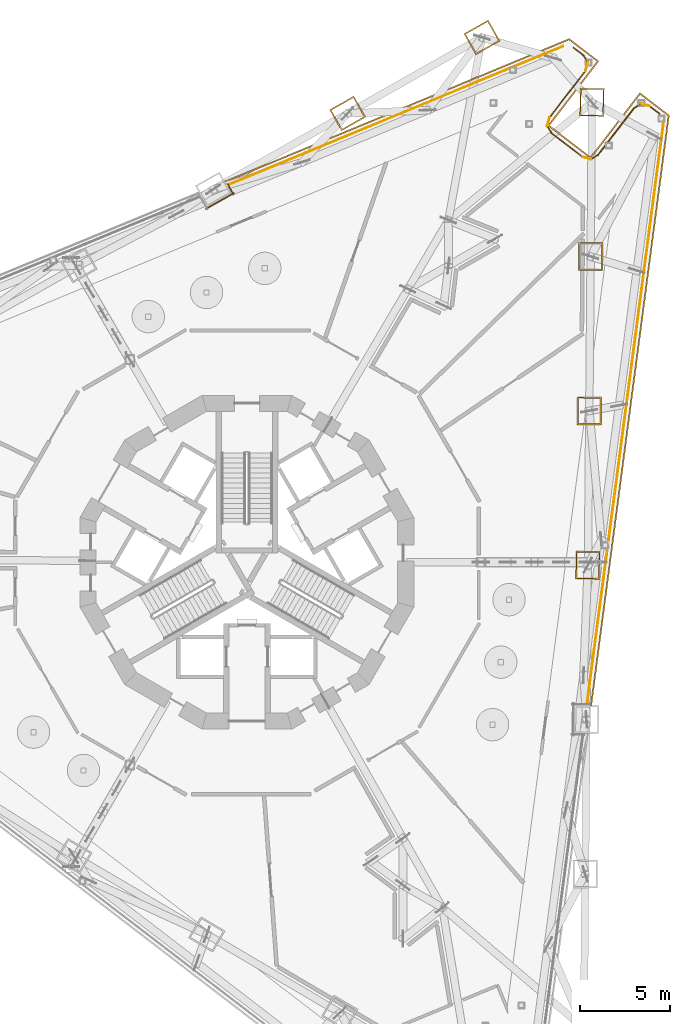
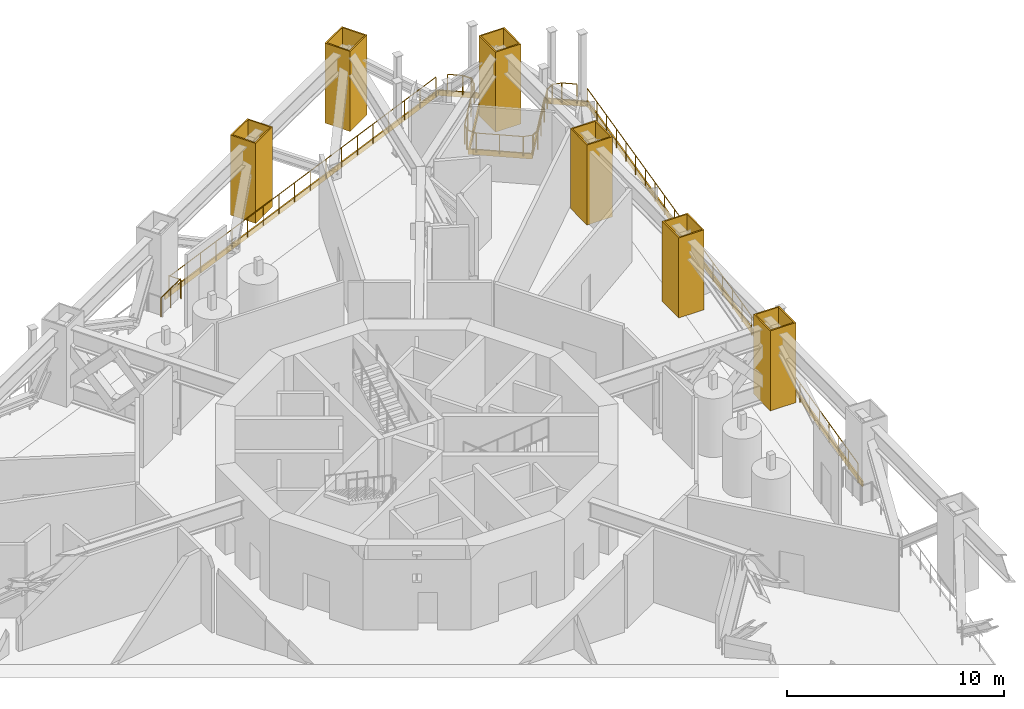
# One storey, part 22 of 23: 17 railings, 7 coverings.
"""IFC4 building model written with IfcOpenShell, lengths in metres."""

from ifc_helpers import new_model, si_unit, direction, frame, origin, origin_2d, place, context, subcontext, project, spatial, polyline, circle, outline, extrude, material, layer, layer_set, type_object, element, save


model = new_model("IFC4")

# Units and contexts
model_context = context("Model", 3, precision=1e-05, world=origin(), true_north=direction((0.0, 1.0)))
body_context = subcontext(model_context, "Body", "Model", "MODEL_VIEW")
ifc_project = project(units=[si_unit("LENGTHUNIT", "METRE"), si_unit("AREAUNIT", "SQUARE_METRE"), si_unit("VOLUMEUNIT", "CUBIC_METRE"), si_unit("PLANEANGLEUNIT", "RADIAN"), si_unit("MASSUNIT", "GRAM", prefix="KILO")], contexts=[model_context])

# Site, building, storey
site_placement = place(None, origin())
site = spatial("IfcSite", under=ifc_project, at=site_placement, CompositionType="ELEMENT")
building_placement = place(site_placement, origin())
building = spatial("IfcBuilding", under=site, at=building_placement, Name="Trine Commons Tower", CompositionType="ELEMENT")
storey_placement = place(building_placement, frame((0.0, 0.0, 156.60009765625)))
storey = spatial("IfcBuildingStorey", under=building, at=storey_placement, Name="L40", CompositionType="ELEMENT", Elevation=156.60009765625)

# Coverings
ifc_material_1 = material(Name="Limestone, honed", Category="masonry")
ifc_layer_1 = layer(ifc_material_1, 0.074951171875)
ifc_layer_set_1 = layer_set([ifc_layer_1], Name="Limestone, honed")
covering_type_1 = type_object("IfcCoveringType", Name="Limestone column cladding 75", PredefinedType="CLADDING", material=ifc_layer_set_1)
covering_1_placement = place(storey_placement, origin())
element("IfcCovering", 1, at=covering_1_placement, inside=storey, type_object=covering_type_1, Name="Limestone pier cladding 5-13", PredefinedType="CLADDING", context=body_context, shape_type="SweptSolid", body=[
    extrude(outline(polyline([(86.6005859375, 87.21728515625), (85.935791015625, 88.39208984375), (84.5869140625, 87.62890625), (85.251708984375, 86.4541015625), (86.6005859375, 87.21728515625)]), holes=[polyline([(86.498291015625, 87.24560546875), (85.907470703125, 88.2900390625), (84.68896484375, 87.6005859375), (85.27978515625, 86.55615234375), (86.498291015625, 87.24560546875)])]), origin(), (0.0, 0.0, 1.0), 4.5),
])
covering_2_placement = place(storey_placement, origin())
element("IfcCovering", 2, at=covering_2_placement, inside=storey, type_object=covering_type_1, Name="Limestone pier cladding 5-14", PredefinedType="CLADDING", context=body_context, shape_type="SweptSolid", body=[
    extrude(outline(polyline([(94.06005859375, 91.4375), (93.395263671875, 92.612548828125), (92.046142578125, 91.849365234375), (92.7109375, 90.67431640625), (94.06005859375, 91.4375)]), holes=[polyline([(93.957763671875, 91.466064453125), (93.366943359375, 92.510498046875), (92.1484375, 91.821044921875), (92.7392578125, 90.776611328125), (93.957763671875, 91.466064453125)])]), origin(), (0.0, 0.0, 1.0), 4.5),
])
covering_3_placement = place(storey_placement, origin())
element("IfcCovering", 3, at=covering_3_placement, inside=storey, type_object=covering_type_1, Name="Limestone pier cladding 5-15", PredefinedType="CLADDING", context=body_context, shape_type="SweptSolid", body=[
    extrude(outline(polyline([(99.843017578125, 88.814697265625), (98.492919921875, 88.826416015625), (98.4794921875, 87.276611328125), (99.829345703125, 87.2646484375), (99.843017578125, 88.814697265625)]), holes=[polyline([(99.767333984375, 88.740234375), (98.5673828125, 88.750732421875), (98.55517578125, 87.350830078125), (99.755126953125, 87.34033203125), (99.767333984375, 88.740234375)])]), origin(), (0.0, 0.0, 1.0), 4.5),
])
covering_4_placement = place(storey_placement, origin())
element("IfcCovering", 4, at=covering_4_placement, inside=storey, type_object=covering_type_1, Name="Limestone pier cladding 5-16", PredefinedType="CLADDING", context=body_context, shape_type="SweptSolid", body=[
    extrude(outline(polyline([(99.76806640625, 80.244384765625), (98.418212890625, 80.256103515625), (98.40478515625, 78.706298828125), (99.754638671875, 78.6943359375), (99.76806640625, 80.244384765625)]), holes=[polyline([(99.6923828125, 80.169921875), (98.492431640625, 80.180419921875), (98.480224609375, 78.780517578125), (99.680419921875, 78.77001953125), (99.6923828125, 80.169921875)])]), origin(), (0.0, 0.0, 1.0), 4.5),
])
covering_5_placement = place(storey_placement, origin())
element("IfcCovering", 5, at=covering_5_placement, inside=storey, type_object=covering_type_1, Name="Limestone pier cladding 5-17", PredefinedType="CLADDING", context=body_context, shape_type="SweptSolid", body=[
    extrude(outline(polyline([(99.693359375, 71.674072265625), (98.343505859375, 71.685791015625), (98.329833984375, 70.135986328125), (99.6796875, 70.1240234375), (99.693359375, 71.674072265625)]), holes=[polyline([(99.61767578125, 71.599609375), (98.417724609375, 71.610107421875), (98.405517578125, 70.210205078125), (99.60546875, 70.19970703125), (99.61767578125, 71.599609375)])]), origin(), (0.0, 0.0, 1.0), 4.5),
])
covering_6_placement = place(storey_placement, origin())
element("IfcCovering", 6, at=covering_6_placement, inside=storey, type_object=covering_type_1, Name="Limestone pier cladding 5-18", PredefinedType="CLADDING", context=body_context, shape_type="SweptSolid", body=[
    extrude(outline(polyline([(99.618408203125, 63.103759765625), (98.2685546875, 63.115478515625), (98.255126953125, 61.565673828125), (99.60498046875, 61.5537109375), (99.618408203125, 63.103759765625)]), holes=[polyline([(99.54296875, 63.029296875), (98.343017578125, 63.039794921875), (98.330810546875, 61.639892578125), (99.53076171875, 61.62939453125), (99.54296875, 63.029296875)])]), origin(), (0.0, 0.0, 1.0), 4.5),
])
ifc_layer_2 = layer(ifc_material_1, 0.074951171875)
ifc_layer_set_2 = layer_set([ifc_layer_2], Name="Limestone, honed")
covering_type_2 = type_object("IfcCoveringType", Name="Limestone spandrel panel 75", PredefinedType="CLADDING", material=ifc_layer_set_2)
covering_7_placement = place(storey_placement, frame((0.0, 0.0, -0.300048828125)))
element("IfcCovering", 7, at=covering_7_placement, inside=storey, type_object=covering_type_2, Name="Limestone spandrel panel 4-02", PredefinedType="CLADDING", context=body_context, shape_type="SweptSolid", body=[
    extrude(outline(polyline([(97.904052734375, 91.594482421875), (78.7626953125, 83.666015625), (78.7998046875, 83.60009765625), (97.892578125, 91.508544921875), (99.450927734375, 90.31298828125), (96.71142578125, 86.742919921875), (99.091552734375, 84.91650390625), (101.8310546875, 88.48681640625), (103.38916015625, 87.291015625), (99.0771484375, 54.53759765625), (99.152587890625, 54.537109375), (103.46923828125, 87.32421875), (101.817138671875, 88.591796875), (99.07763671875, 85.021728515625), (96.816650390625, 86.756591796875), (99.55615234375, 90.326904296875), (97.904052734375, 91.594482421875)])), origin(), (0.0, 0.0, 1.0), 0.300048828125),
])

# Railings
ifc_material_2 = material(Name="Stainless steel rail and posts", Category="steel")
railing_type = type_object("IfcRailingType", Name="Slot edge guard 1100", PredefinedType="GUARDRAIL", material=ifc_material_2)
railing_1_placement = place(storey_placement, frame((77.72509765625, 82.126953125, 0.0)))
element("IfcRailing", 8, at=railing_1_placement, inside=storey, type_object=railing_type, Name="Guard L40-24", PredefinedType="GUARDRAIL", context=body_context, shape_type="SweptSolid", body=[
    extrude(circle(Radius=0.02392578125, at=origin_2d()), frame((0.0, 0.0, 1.076171875), z_axis=(0.870321491843, 0.492484010742, 0.0), x_axis=(-0.492484010742, 0.870321491843, 0.0)), (0.0, 0.0, 1.0), 1.771728515625),
    extrude(circle(Radius=0.02099609375, at=origin_2d()), origin(), (0.0, 0.0, 1.0), 1.052001953125),
    extrude(circle(Radius=0.02099609375, at=origin_2d()), frame((0.77099609375, 0.436279296875, 0.0)), (0.0, 0.0, 1.0), 1.052001953125),
    extrude(circle(Radius=0.02099609375, at=origin_2d()), frame((1.5419921875, 0.87255859375, 0.0)), (0.0, 0.0, 1.0), 1.052001953125),
])
railing_2_placement = place(storey_placement, frame((79.248046875, 82.929931640625, 0.0)))
element("IfcRailing", 9, at=railing_2_placement, inside=storey, type_object=railing_type, Name="Guard L40-25", PredefinedType="GUARDRAIL", context=body_context, shape_type="SweptSolid", body=[
    extrude(circle(Radius=0.02392578125, at=origin_2d()), frame((0.0, 0.0, 1.076171875), z_axis=(-0.49255012119, 0.870284078974, 0.0), x_axis=(-0.870284078974, -0.49255012119, 0.0)), (0.0, 0.0, 1.0), 0.65283203125),
    extrude(circle(Radius=0.02099609375, at=origin_2d()), origin(), (0.0, 0.0, 1.0), 1.052001953125),
    extrude(circle(Radius=0.02099609375, at=origin_2d()), frame((-0.321533203125, 0.568115234375, 0.0)), (0.0, 0.0, 1.0), 1.052001953125),
])
railing_3_placement = place(storey_placement, frame((78.90234375, 83.426025390625, 0.0)))
element("IfcRailing", 10, at=railing_3_placement, inside=storey, type_object=railing_type, Name="Guard L40-26", PredefinedType="GUARDRAIL", context=body_context, shape_type="SweptSolid", body=[
    extrude(circle(Radius=0.02392578125, at=origin_2d()), frame((0.0, 0.0, 1.076171875), z_axis=(0.923876186838, 0.382691509436, 0.0), x_axis=(-0.382691509436, 0.923876186838, 0.0)), (0.0, 0.0, 1.0), 20.18359375),
    extrude(circle(Radius=0.02099609375, at=origin_2d()), origin(), (0.0, 0.0, 1.0), 1.052001953125),
    extrude(circle(Radius=0.02099609375, at=origin_2d()), frame((1.096923828125, 0.454345703125, 0.0)), (0.0, 0.0, 1.0), 1.052001953125),
    extrude(circle(Radius=0.02099609375, at=origin_2d()), frame((2.19384765625, 0.90869140625, 0.0)), (0.0, 0.0, 1.0), 1.052001953125),
    extrude(circle(Radius=0.02099609375, at=origin_2d()), frame((3.290771484375, 1.363037109375, 0.0)), (0.0, 0.0, 1.0), 1.052001953125),
    extrude(circle(Radius=0.02099609375, at=origin_2d()), frame((4.3876953125, 1.8173828125, 0.0)), (0.0, 0.0, 1.0), 1.052001953125),
    extrude(circle(Radius=0.02099609375, at=origin_2d()), frame((5.484375, 2.271728515625, 0.0)), (0.0, 0.0, 1.0), 1.052001953125),
    extrude(circle(Radius=0.02099609375, at=origin_2d()), frame((6.581298828125, 2.72607421875, 0.0)), (0.0, 0.0, 1.0), 1.052001953125),
    extrude(circle(Radius=0.02099609375, at=origin_2d()), frame((7.67822265625, 3.180419921875, 0.0)), (0.0, 0.0, 1.0), 1.052001953125),
    extrude(circle(Radius=0.02099609375, at=origin_2d()), frame((8.775146484375, 3.634765625, 0.0)), (0.0, 0.0, 1.0), 1.052001953125),
    extrude(circle(Radius=0.02099609375, at=origin_2d()), frame((9.8720703125, 4.08935546875, 0.0)), (0.0, 0.0, 1.0), 1.052001953125),
    extrude(circle(Radius=0.02099609375, at=origin_2d()), frame((10.968994140625, 4.543701171875, 0.0)), (0.0, 0.0, 1.0), 1.052001953125),
    extrude(circle(Radius=0.02099609375, at=origin_2d()), frame((12.06591796875, 4.998046875, 0.0)), (0.0, 0.0, 1.0), 1.052001953125),
    extrude(circle(Radius=0.02099609375, at=origin_2d()), frame((13.162841796875, 5.452392578125, 0.0)), (0.0, 0.0, 1.0), 1.052001953125),
    extrude(circle(Radius=0.02099609375, at=origin_2d()), frame((14.259521484375, 5.90673828125, 0.0)), (0.0, 0.0, 1.0), 1.052001953125),
    extrude(circle(Radius=0.02099609375, at=origin_2d()), frame((15.3564453125, 6.361083984375, 0.0)), (0.0, 0.0, 1.0), 1.052001953125),
    extrude(circle(Radius=0.02099609375, at=origin_2d()), frame((16.453369140625, 6.8154296875, 0.0)), (0.0, 0.0, 1.0), 1.052001953125),
    extrude(circle(Radius=0.02099609375, at=origin_2d()), frame((17.55029296875, 7.269775390625, 0.0)), (0.0, 0.0, 1.0), 1.052001953125),
    extrude(circle(Radius=0.02099609375, at=origin_2d()), frame((18.647216796875, 7.72412109375, 0.0)), (0.0, 0.0, 1.0), 1.052001953125),
])
railing_4_placement = place(storey_placement, frame((98.131591796875, 91.0732421875, 0.0)))
element("IfcRailing", 11, at=railing_4_placement, inside=storey, type_object=railing_type, Name="Guard L40-29", PredefinedType="GUARDRAIL", context=body_context, shape_type="SweptSolid", body=[
    extrude(circle(Radius=0.02392578125, at=origin_2d()), frame((0.0, 0.0, 1.076171875), z_axis=(0.793278862834, -0.608858477628, 0.0), x_axis=(0.608858477628, 0.793278862834, 0.0)), (0.0, 0.0, 1.0), 0.72021484375),
    extrude(circle(Radius=0.02099609375, at=origin_2d()), origin(), (0.0, 0.0, 1.0), 1.052001953125),
    extrude(circle(Radius=0.02099609375, at=origin_2d()), frame((0.5712890625, -0.4384765625, 0.0)), (0.0, 0.0, 1.0), 1.052001953125),
])
railing_5_placement = place(storey_placement, frame((98.689208984375, 90.650634765625, 0.0)))
element("IfcRailing", 12, at=railing_5_placement, inside=storey, type_object=railing_type, Name="Guard L40-30", PredefinedType="GUARDRAIL", context=body_context, shape_type="SweptSolid", body=[
    extrude(circle(Radius=0.02392578125, at=origin_2d()), frame((0.0, 0.0, 1.076171875), z_axis=(0.499880173341, -0.866094574686, 0.0), x_axis=(0.866094574686, 0.499880173341, 0.0)), (0.0, 0.0, 1.0), 0.4912109375),
    extrude(circle(Radius=0.02099609375, at=origin_2d()), origin(), (0.0, 0.0, 1.0), 1.052001953125),
    extrude(circle(Radius=0.02099609375, at=origin_2d()), frame((0.24560546875, -0.425537109375, 0.0)), (0.0, 0.0, 1.0), 1.052001953125),
])
railing_6_placement = place(storey_placement, frame((98.9296875, 90.263916015625, 0.0)))
element("IfcRailing", 13, at=railing_6_placement, inside=storey, type_object=railing_type, Name="Guard L40-31", PredefinedType="GUARDRAIL", context=body_context, shape_type="SweptSolid", body=[
    extrude(circle(Radius=0.02392578125, at=origin_2d()), frame((0.0, 0.0, 1.076171875), z_axis=(-0.258992838373, -0.965879241764, 0.0), x_axis=(0.965879241764, -0.258992838373, 0.0)), (0.0, 0.0, 1.0), 0.4912109375),
    extrude(circle(Radius=0.02099609375, at=origin_2d()), origin(), (0.0, 0.0, 1.0), 1.052001953125),
    extrude(circle(Radius=0.02099609375, at=origin_2d()), frame((-0.127197265625, -0.474365234375, 0.0)), (0.0, 0.0, 1.0), 1.052001953125),
])
railing_7_placement = place(storey_placement, frame((98.8115234375, 89.808349609375, 0.0)))
element("IfcRailing", 14, at=railing_7_placement, inside=storey, type_object=railing_type, Name="Guard L40-32", PredefinedType="GUARDRAIL", context=body_context, shape_type="SweptSolid", body=[
    extrude(circle(Radius=0.02392578125, at=origin_2d()), frame((0.0, 0.0, 1.076171875), z_axis=(-0.608737024943, -0.793372065593, 0.0), x_axis=(0.793372065593, -0.608737024943, 0.0)), (0.0, 0.0, 1.0), 3.321533203125),
    extrude(circle(Radius=0.02099609375, at=origin_2d()), origin(), (0.0, 0.0, 1.0), 1.052001953125),
    extrude(circle(Radius=0.02099609375, at=origin_2d()), frame((-0.674072265625, -0.87841796875, 0.0)), (0.0, 0.0, 1.0), 1.052001953125),
    extrude(circle(Radius=0.02099609375, at=origin_2d()), frame((-1.347900390625, -1.7568359375, 0.0)), (0.0, 0.0, 1.0), 1.052001953125),
    extrude(circle(Radius=0.02099609375, at=origin_2d()), frame((-2.02197265625, -2.63525390625, 0.0)), (0.0, 0.0, 1.0), 1.052001953125),
])
railing_8_placement = place(storey_placement, frame((96.799072265625, 87.192138671875, 0.0)))
element("IfcRailing", 15, at=railing_8_placement, inside=storey, type_object=railing_type, Name="Guard L40-33", PredefinedType="GUARDRAIL", context=body_context, shape_type="SweptSolid", body=[
    extrude(circle(Radius=0.02392578125, at=origin_2d()), frame((0.0, 0.0, 1.076171875), z_axis=(-0.258744359923, -0.965945835028, 0.0), x_axis=(0.965945835028, -0.258744359923, 0.0)), (0.0, 0.0, 1.0), 0.49169921875),
    extrude(circle(Radius=0.02099609375, at=origin_2d()), origin(), (0.0, 0.0, 1.0), 1.052001953125),
    extrude(circle(Radius=0.02099609375, at=origin_2d()), frame((-0.127197265625, -0.474853515625, 0.0)), (0.0, 0.0, 1.0), 1.052001953125),
])
railing_9_placement = place(storey_placement, frame((96.666748046875, 86.757080078125, 0.0)))
element("IfcRailing", 16, at=railing_9_placement, inside=storey, type_object=railing_type, Name="Guard L40-34", PredefinedType="GUARDRAIL", context=body_context, shape_type="SweptSolid", body=[
    extrude(circle(Radius=0.02392578125, at=origin_2d()), frame((0.0, 0.0, 1.076171875), z_axis=(0.499822711391, -0.866127737217, 0.0), x_axis=(0.866127737217, 0.499822711391, 0.0)), (0.0, 0.0, 1.0), 0.491943359375),
    extrude(circle(Radius=0.02099609375, at=origin_2d()), origin(), (0.0, 0.0, 1.0), 1.052001953125),
    extrude(circle(Radius=0.02099609375, at=origin_2d()), frame((0.245849609375, -0.426025390625, 0.0)), (0.0, 0.0, 1.0), 1.052001953125),
])
railing_10_placement = place(storey_placement, frame((96.8984375, 86.347412109375, 0.0)))
element("IfcRailing", 17, at=railing_10_placement, inside=storey, type_object=railing_type, Name="Guard L40-35", PredefinedType="GUARDRAIL", context=body_context, shape_type="SweptSolid", body=[
    extrude(circle(Radius=0.02392578125, at=origin_2d()), frame((0.0, 0.0, 1.076171875), z_axis=(0.793293284427, -0.608839687342, 0.0), x_axis=(0.608839687342, 0.793293284427, 0.0)), (0.0, 0.0, 1.0), 2.222412109375),
    extrude(circle(Radius=0.02099609375, at=origin_2d()), origin(), (0.0, 0.0, 1.0), 1.052001953125),
    extrude(circle(Radius=0.02099609375, at=origin_2d()), frame((0.88134765625, -0.676513671875, 0.0)), (0.0, 0.0, 1.0), 1.052001953125),
    extrude(circle(Radius=0.02099609375, at=origin_2d()), frame((1.762939453125, -1.35302734375, 0.0)), (0.0, 0.0, 1.0), 1.052001953125),
])
railing_11_placement = place(storey_placement, frame((98.642333984375, 85.004150390625, 0.0)))
element("IfcRailing", 18, at=railing_11_placement, inside=storey, type_object=railing_type, Name="Guard L40-36", PredefinedType="GUARDRAIL", context=body_context, shape_type="SweptSolid", body=[
    extrude(circle(Radius=0.02392578125, at=origin_2d()), frame((0.0, 0.0, 1.076171875), z_axis=(0.965879241764, -0.258992838373, 0.0), x_axis=(0.258992838373, 0.965879241764, 0.0)), (0.0, 0.0, 1.0), 0.4912109375),
    extrude(circle(Radius=0.02099609375, at=origin_2d()), origin(), (0.0, 0.0, 1.0), 1.052001953125),
    extrude(circle(Radius=0.02099609375, at=origin_2d()), frame((0.474365234375, -0.127197265625, 0.0)), (0.0, 0.0, 1.0), 1.052001953125),
])
railing_12_placement = place(storey_placement, frame((99.07763671875, 84.871826171875, 0.0)))
element("IfcRailing", 19, at=railing_12_placement, inside=storey, type_object=railing_type, Name="Guard L40-37", PredefinedType="GUARDRAIL", context=body_context, shape_type="SweptSolid", body=[
    extrude(circle(Radius=0.02392578125, at=origin_2d()), frame((0.0, 0.0, 1.076171875), z_axis=(0.865755019171, 0.50046802773, 0.0), x_axis=(-0.50046802773, 0.865755019171, 0.0)), (0.0, 0.0, 1.0), 0.4912109375),
    extrude(circle(Radius=0.02099609375, at=origin_2d()), origin(), (0.0, 0.0, 1.0), 1.052001953125),
    extrude(circle(Radius=0.02099609375, at=origin_2d()), frame((0.42529296875, 0.245849609375, 0.0)), (0.0, 0.0, 1.0), 1.052001953125),
])
railing_13_placement = place(storey_placement, frame((99.4873046875, 85.103759765625, 0.0)))
element("IfcRailing", 20, at=railing_13_placement, inside=storey, type_object=railing_type, Name="Guard L40-38", PredefinedType="GUARDRAIL", context=body_context, shape_type="SweptSolid", body=[
    extrude(circle(Radius=0.02392578125, at=origin_2d()), frame((0.0, 0.0, 1.076171875), z_axis=(0.608772524178, 0.793344826545, 0.0), x_axis=(-0.793344826545, 0.608772524178, 0.0)), (0.0, 0.0, 1.0), 3.3212890625),
    extrude(circle(Radius=0.02099609375, at=origin_2d()), origin(), (0.0, 0.0, 1.0), 1.052001953125),
    extrude(circle(Radius=0.02099609375, at=origin_2d()), frame((0.674072265625, 0.87841796875, 0.0)), (0.0, 0.0, 1.0), 1.052001953125),
    extrude(circle(Radius=0.02099609375, at=origin_2d()), frame((1.347900390625, 1.756591796875, 0.0)), (0.0, 0.0, 1.0), 1.052001953125),
    extrude(circle(Radius=0.02099609375, at=origin_2d()), frame((2.02197265625, 2.635009765625, 0.0)), (0.0, 0.0, 1.0), 1.052001953125),
])
railing_14_placement = place(storey_placement, frame((101.493408203125, 87.724853515625, 0.0)))
element("IfcRailing", 21, at=railing_14_placement, inside=storey, type_object=railing_type, Name="Guard L40-39", PredefinedType="GUARDRAIL", context=body_context, shape_type="SweptSolid", body=[
    extrude(circle(Radius=0.02392578125, at=origin_2d()), frame((0.0, 0.0, 1.076171875), z_axis=(0.866003658127, 0.500037662692, 0.0), x_axis=(-0.500037662692, 0.866003658127, 0.0)), (0.0, 0.0, 1.0), 0.49169921875),
    extrude(circle(Radius=0.02099609375, at=origin_2d()), origin(), (0.0, 0.0, 1.0), 1.052001953125),
    extrude(circle(Radius=0.02099609375, at=origin_2d()), frame((0.42578125, 0.245849609375, 0.0)), (0.0, 0.0, 1.0), 1.052001953125),
])
railing_15_placement = place(storey_placement, frame((101.87939453125, 87.96533203125, 0.0)))
element("IfcRailing", 22, at=railing_15_placement, inside=storey, type_object=railing_type, Name="Guard L40-40", PredefinedType="GUARDRAIL", context=body_context, shape_type="SweptSolid", body=[
    extrude(circle(Radius=0.02392578125, at=origin_2d()), frame((0.0, 0.0, 1.076171875), z_axis=(0.96597905984, -0.258620292999, 0.0), x_axis=(0.258620292999, 0.96597905984, 0.0)), (0.0, 0.0, 1.0), 0.491943359375),
    extrude(circle(Radius=0.02099609375, at=origin_2d()), origin(), (0.0, 0.0, 1.0), 1.052001953125),
    extrude(circle(Radius=0.02099609375, at=origin_2d()), frame((0.47509765625, -0.127197265625, 0.0)), (0.0, 0.0, 1.0), 1.052001953125),
])
railing_16_placement = place(storey_placement, frame((102.335693359375, 87.847412109375, 0.0)))
element("IfcRailing", 23, at=railing_16_placement, inside=storey, type_object=railing_type, Name="Guard L40-41", PredefinedType="GUARDRAIL", context=body_context, shape_type="SweptSolid", body=[
    extrude(circle(Radius=0.02392578125, at=origin_2d()), frame((0.0, 0.0, 1.076171875), z_axis=(0.793240813541, -0.608908048668, 0.0), x_axis=(0.608908048668, 0.793240813541, 0.0)), (0.0, 0.0, 1.0), 0.720458984375),
    extrude(circle(Radius=0.02099609375, at=origin_2d()), origin(), (0.0, 0.0, 1.0), 1.052001953125),
    extrude(circle(Radius=0.02099609375, at=origin_2d()), frame((0.571533203125, -0.438720703125, 0.0)), (0.0, 0.0, 1.0), 1.052001953125),
])
railing_17_placement = place(storey_placement, frame((103.131591796875, 86.866455078125, 0.0)))
element("IfcRailing", 24, at=railing_17_placement, inside=storey, type_object=railing_type, Name="Guard L40-44", PredefinedType="GUARDRAIL", context=body_context, shape_type="SweptSolid", body=[
    extrude(circle(Radius=0.02392578125, at=origin_2d()), frame((0.0, 0.0, 1.076171875), z_axis=(-0.130525629624, -0.991444935441, 0.0), x_axis=(0.991444935441, -0.130525629624, 0.0)), (0.0, 0.0, 1.0), 32.590576171875),
    extrude(circle(Radius=0.02099609375, at=origin_2d()), origin(), (0.0, 0.0, 1.0), 1.052001953125),
    extrude(circle(Radius=0.02099609375, at=origin_2d()), frame((-0.15185546875, -1.154052734375, 0.0)), (0.0, 0.0, 1.0), 1.052001953125),
    extrude(circle(Radius=0.02099609375, at=origin_2d()), frame((-0.303955078125, -2.30810546875, 0.0)), (0.0, 0.0, 1.0), 1.052001953125),
    extrude(circle(Radius=0.02099609375, at=origin_2d()), frame((-0.455810546875, -3.4619140625, 0.0)), (0.0, 0.0, 1.0), 1.052001953125),
    extrude(circle(Radius=0.02099609375, at=origin_2d()), frame((-0.607666015625, -4.615966796875, 0.0)), (0.0, 0.0, 1.0), 1.052001953125),
    extrude(circle(Radius=0.02099609375, at=origin_2d()), frame((-0.759521484375, -5.77001953125, 0.0)), (0.0, 0.0, 1.0), 1.052001953125),
    extrude(circle(Radius=0.02099609375, at=origin_2d()), frame((-0.91162109375, -6.923828125, 0.0)), (0.0, 0.0, 1.0), 1.052001953125),
    extrude(circle(Radius=0.02099609375, at=origin_2d()), frame((-1.0634765625, -8.077880859375, 0.0)), (0.0, 0.0, 1.0), 1.052001953125),
    extrude(circle(Radius=0.02099609375, at=origin_2d()), frame((-1.21533203125, -9.23193359375, 0.0)), (0.0, 0.0, 1.0), 1.052001953125),
    extrude(circle(Radius=0.02099609375, at=origin_2d()), frame((-1.367431640625, -10.385986328125, 0.0)), (0.0, 0.0, 1.0), 1.052001953125),
    extrude(circle(Radius=0.02099609375, at=origin_2d()), frame((-1.519287109375, -11.5400390625, 0.0)), (0.0, 0.0, 1.0), 1.052001953125),
    extrude(circle(Radius=0.02099609375, at=origin_2d()), frame((-1.671142578125, -12.69384765625, 0.0)), (0.0, 0.0, 1.0), 1.052001953125),
    extrude(circle(Radius=0.02099609375, at=origin_2d()), frame((-1.822998046875, -13.847900390625, 0.0)), (0.0, 0.0, 1.0), 1.052001953125),
    extrude(circle(Radius=0.02099609375, at=origin_2d()), frame((-1.97509765625, -15.001953125, 0.0)), (0.0, 0.0, 1.0), 1.052001953125),
    extrude(circle(Radius=0.02099609375, at=origin_2d()), frame((-2.126953125, -16.15576171875, 0.0)), (0.0, 0.0, 1.0), 1.052001953125),
    extrude(circle(Radius=0.02099609375, at=origin_2d()), frame((-2.27880859375, -17.309814453125, 0.0)), (0.0, 0.0, 1.0), 1.052001953125),
    extrude(circle(Radius=0.02099609375, at=origin_2d()), frame((-2.430908203125, -18.4638671875, 0.0)), (0.0, 0.0, 1.0), 1.052001953125),
    extrude(circle(Radius=0.02099609375, at=origin_2d()), frame((-2.582763671875, -19.617919921875, 0.0)), (0.0, 0.0, 1.0), 1.052001953125),
    extrude(circle(Radius=0.02099609375, at=origin_2d()), frame((-2.734619140625, -20.77197265625, 0.0)), (0.0, 0.0, 1.0), 1.052001953125),
    extrude(circle(Radius=0.02099609375, at=origin_2d()), frame((-2.886474609375, -21.92578125, 0.0)), (0.0, 0.0, 1.0), 1.052001953125),
    extrude(circle(Radius=0.02099609375, at=origin_2d()), frame((-3.03857421875, -23.079833984375, 0.0)), (0.0, 0.0, 1.0), 1.052001953125),
    extrude(circle(Radius=0.02099609375, at=origin_2d()), frame((-3.1904296875, -24.23388671875, 0.0)), (0.0, 0.0, 1.0), 1.052001953125),
    extrude(circle(Radius=0.02099609375, at=origin_2d()), frame((-3.34228515625, -25.3876953125, 0.0)), (0.0, 0.0, 1.0), 1.052001953125),
    extrude(circle(Radius=0.02099609375, at=origin_2d()), frame((-3.494384765625, -26.541748046875, 0.0)), (0.0, 0.0, 1.0), 1.052001953125),
    extrude(circle(Radius=0.02099609375, at=origin_2d()), frame((-3.646240234375, -27.69580078125, 0.0)), (0.0, 0.0, 1.0), 1.052001953125),
    extrude(circle(Radius=0.02099609375, at=origin_2d()), frame((-3.798095703125, -28.849853515625, 0.0)), (0.0, 0.0, 1.0), 1.052001953125),
    extrude(circle(Radius=0.02099609375, at=origin_2d()), frame((-3.949951171875, -30.00390625, 0.0)), (0.0, 0.0, 1.0), 1.052001953125),
    extrude(circle(Radius=0.02099609375, at=origin_2d()), frame((-4.10205078125, -31.15771484375, 0.0)), (0.0, 0.0, 1.0), 1.052001953125),
    extrude(circle(Radius=0.02099609375, at=origin_2d()), frame((-4.25390625, -32.311767578125, 0.0)), (0.0, 0.0, 1.0), 1.052001953125),
])

save(model, "model.ifc")
